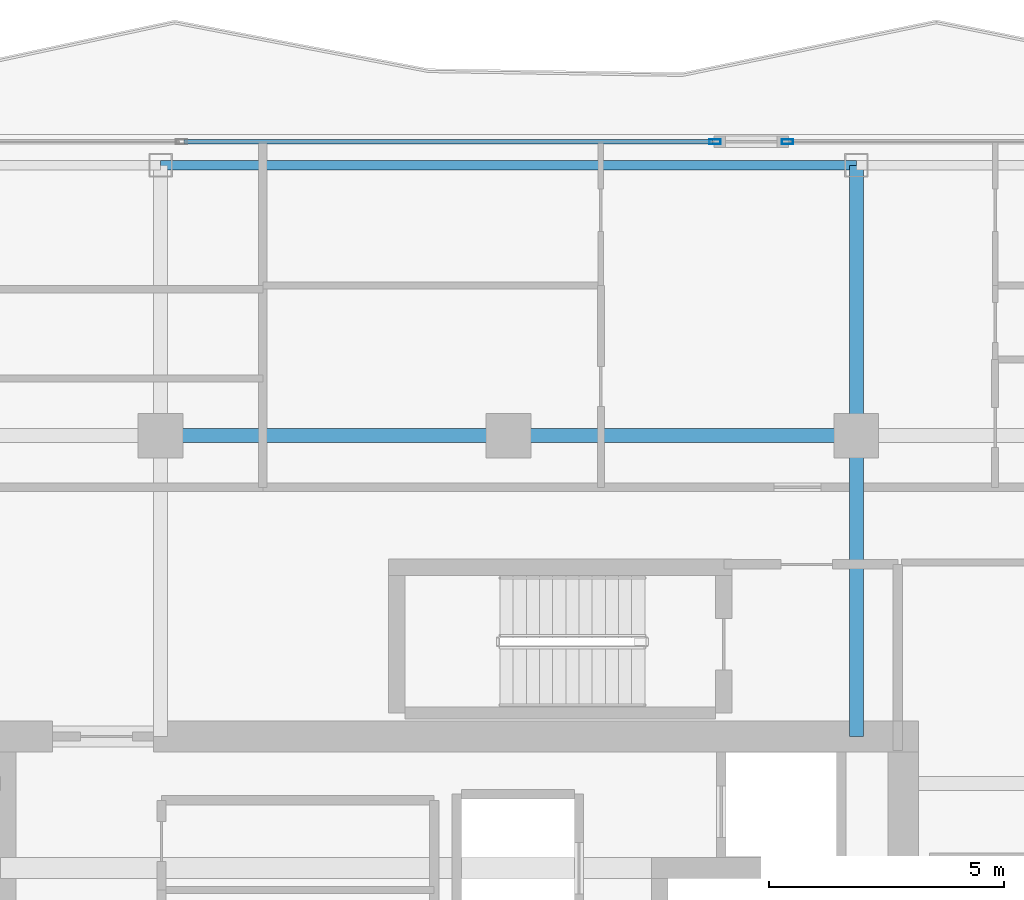
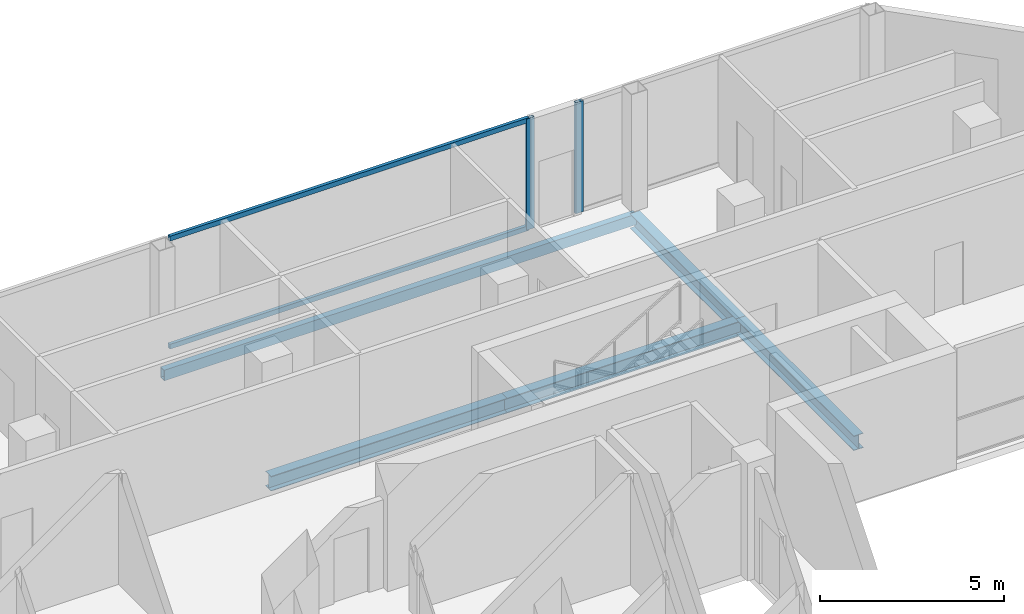
# One storey, part 12 of 22: 5 beams, 4 members, 2 elements without a shape of their own.
"""IFC4 building model written with IfcOpenShell, lengths in metres."""

from ifc_helpers import new_model, si_unit, direction, frame, origin, origin_2d, place, context, subcontext, project, spatial, hollow_rectangle, i_section, extrude, material, layer, layer_set, material_profile, profile_set, type_object, element, aggregate, save


model = new_model("IFC4")

# Units and contexts
model_context = context("Model", 3, precision=1e-05, world=origin(), true_north=direction((0.0, 1.0)))
body_context = subcontext(model_context, "Body", "Model", "MODEL_VIEW")
ifc_project = project(units=[si_unit("LENGTHUNIT", "METRE"), si_unit("AREAUNIT", "SQUARE_METRE"), si_unit("VOLUMEUNIT", "CUBIC_METRE"), si_unit("PLANEANGLEUNIT", "RADIAN"), si_unit("MASSUNIT", "GRAM", prefix="KILO")], contexts=[model_context])

# Site, building, storey
site_placement = place(None, origin())
site = spatial("IfcSite", under=ifc_project, at=site_placement, CompositionType="ELEMENT")
building_placement = place(site_placement, origin())
building = spatial("IfcBuilding", under=site, at=building_placement, Name="Khorvyn Point Tower", CompositionType="ELEMENT")
storey_placement = place(building_placement, frame((0.0, 0.0, 305.39990234375)))
storey = spatial("IfcBuildingStorey", under=building, at=storey_placement, Name="L75", CompositionType="ELEMENT", Elevation=305.39990234375)

# Curtain wall, member
ifc_material_1 = material(Name="Anodised aluminium 6063-T6 and laminated Low-E glass", Category="aluminium")
ifc_layer = layer(ifc_material_1, 0.18994140625)
ifc_layer_set = layer_set([ifc_layer], Name="Stick-Built High-Wind Curtain Wall CW-SYS-04")
curtain_wall_type = type_object("IfcCurtainWallType", Name="Stick-Built High-Wind Curtain Wall CW-SYS-04", PredefinedType="NOTDEFINED", material=ifc_layer_set)
curtain_wall_1_placement = place(storey_placement, origin())
curtain_wall_1 = element("IfcCurtainWall", 1, at=curtain_wall_1_placement, inside=storey, type_object=curtain_wall_type, Name="Curtain Wall", PredefinedType="NOTDEFINED")
ifc_material_2 = material(Name="Anodised aluminium 6063-T6", Category="aluminium")
ifc_material_profile_1 = material_profile(ifc_material_2, hollow_rectangle(XDim=0.10009765625, YDim=0.239990234375, WallThickness=0.0048828125, at=origin_2d()))
ifc_profile_set_1 = profile_set([ifc_material_profile_1], Name="Anodised aluminium 6063-T6 ALU-MUL-100x240")
member_type_1 = type_object("IfcMemberType", Name="Anodised Aluminium 6063-T6 Mullion ALU-MUL-100x240", PredefinedType="MULLION", material=ifc_profile_set_1)
member_1_placement = place(storey_placement, frame((4.39404296875, 21.050048828125, 0.0), z_axis=(0.0, 0.0, 1.0), x_axis=(0.0, 1.0, 0.0)))
member_1 = element("IfcMember", 2, at=member_1_placement, type_object=member_type_1, Name="Transom", PredefinedType="MULLION", context=body_context, shape_type="SweptSolid", body=[
    extrude(hollow_rectangle(XDim=0.10009765625, YDim=0.239990234375, WallThickness=0.0048828125, at=origin_2d()), origin(), (0.0, 0.0, 1.0), 3.68017578125),
])

curtain_wall_2_placement = place(storey_placement, origin())
curtain_wall_2 = element("IfcCurtainWall", 3, at=curtain_wall_2_placement, inside=storey, type_object=curtain_wall_type, Name="Curtain Wall", PredefinedType="NOTDEFINED")
member_2_placement = place(storey_placement, frame((5.93408203125, 21.050048828125, 0.0), z_axis=(0.0, 0.0, 1.0), x_axis=(0.0, 1.0, 0.0)))
member_2 = element("IfcMember", 4, at=member_2_placement, type_object=member_type_1, Name="Transom", PredefinedType="MULLION", context=body_context, shape_type="SweptSolid", body=[
    extrude(hollow_rectangle(XDim=0.10009765625, YDim=0.239990234375, WallThickness=0.0048828125, at=origin_2d()), origin(), (0.0, 0.0, 1.0), 3.68017578125),
])
aggregate(curtain_wall_2, [member_2])

# Member
ifc_material_profile_2 = material_profile(ifc_material_2, hollow_rectangle(XDim=0.10009765625, YDim=0.159912109375, WallThickness=0.00439453125, at=origin_2d()))
ifc_profile_set_2 = profile_set([ifc_material_profile_2], Name="Anodised aluminium 6063-T6 ALU-TRN-100x160")
member_type_2 = type_object("IfcMemberType", Name="Anodised Aluminium 6063-T6 Transom ALU-TRN-100x160", PredefinedType="USERDEFINED", material=ifc_profile_set_2)
member_3_placement = place(storey_placement, frame((-6.903076171875, 21.050048828125, 0.050048828125), z_axis=(1.0, 0.0, 0.0), x_axis=(0.0, 1.0, 0.0)))
member_3 = element("IfcMember", 5, at=member_3_placement, type_object=member_type_2, Name="Transom", ObjectType="TRANSOM", PredefinedType="USERDEFINED", context=body_context, shape_type="SweptSolid", body=[
    extrude(hollow_rectangle(XDim=0.10009765625, YDim=0.159912109375, WallThickness=0.00439453125, at=origin_2d()), origin(), (0.0, 0.0, 1.0), 11.2470703125),
])

member_4_placement = place(storey_placement, frame((-6.903076171875, 21.050048828125, 3.630126953125), z_axis=(1.0, 0.0, 0.0), x_axis=(0.0, 1.0, 0.0)))
member_4 = element("IfcMember", 6, at=member_4_placement, type_object=member_type_2, Name="Transom", ObjectType="TRANSOM", PredefinedType="USERDEFINED", context=body_context, shape_type="SweptSolid", body=[
    extrude(hollow_rectangle(XDim=0.10009765625, YDim=0.159912109375, WallThickness=0.00439453125, at=origin_2d()), origin(), (0.0, 0.0, 1.0), 11.2470703125),
])

aggregate(curtain_wall_1, [member_1, member_3, member_4])

# Beams
ifc_material_3 = material(Name="Steel S355", Category="steel")
ifc_material_profile_3 = material_profile(ifc_material_3, i_section(OverallWidth=0.300048828125, OverallDepth=0.488037109375, WebThickness=0.010986328125, FlangeThickness=0.01806640625, at=origin_2d()))
ifc_profile_set_3 = profile_set([ifc_material_profile_3], Name="Steel S355 H488x300x11x18")
beam_type_1 = type_object("IfcBeamType", Name="Steel S355 Spandrel H488x300x11x18", PredefinedType="SPANDREL", material=ifc_profile_set_3)
for number, where, z_axis, x_axis, name in (
    (7, (-7.39990234375, 14.800048828125, -0.4638671875), (1.0, 0.0, 0.0), (0.0, 1.0, 0.0), "Beam"),
    (8, (0.0, 14.800048828125, -0.4638671875), (1.0, 0.0, 0.0), (0.0, 1.0, 0.0), "Beam"),
):
    element("IfcBeam", number, at=place(storey_placement, frame(where, z_axis=z_axis, x_axis=x_axis)), inside=storey, type_object=beam_type_1, Name=name, PredefinedType="SPANDREL", context=body_context, shape_type="SweptSolid", body=[
        extrude(i_section(OverallWidth=0.300048828125, OverallDepth=0.488037109375, WebThickness=0.010986328125, FlangeThickness=0.01806640625, at=origin_2d()), origin(), (0.0, 0.0, 1.0), 7.39990234375),
    ])
beam_1_placement = place(storey_placement, frame((7.39990234375, 8.39990234375, -0.4638671875), z_axis=(0.0, 1.0, 0.0), x_axis=(-1.0, 0.0, 0.0)))
element("IfcBeam", 9, at=beam_1_placement, inside=storey, type_object=beam_type_1, Name="Beam", PredefinedType="SPANDREL", context=body_context, shape_type="SweptSolid", body=[
    extrude(i_section(OverallWidth=0.300048828125, OverallDepth=0.488037109375, WebThickness=0.010986328125, FlangeThickness=0.01806640625, at=origin_2d()), origin(), (0.0, 0.0, 1.0), 6.400146484375),
])
beam_2_placement = place(storey_placement, frame((7.39990234375, 14.800048828125, -0.4638671875), z_axis=(0.0, 1.0, 0.0), x_axis=(-1.0, 0.0, 0.0)))
element("IfcBeam", 10, at=beam_2_placement, inside=storey, type_object=beam_type_1, Name="Beam", PredefinedType="SPANDREL", context=body_context, shape_type="SweptSolid", body=[
    extrude(i_section(OverallWidth=0.300048828125, OverallDepth=0.488037109375, WebThickness=0.010986328125, FlangeThickness=0.01806640625, at=origin_2d()), origin(), (0.0, 0.0, 1.0), 5.75),
])
ifc_material_profile_4 = material_profile(ifc_material_3, hollow_rectangle(XDim=0.199951171875, YDim=0.35009765625, WallThickness=0.013916015625, at=origin_2d()))
ifc_profile_set_4 = profile_set([ifc_material_profile_4], Name="Steel S355 RHS350x200x14")
beam_type_2 = type_object("IfcBeamType", Name="Steel S355 Spandrel RHS350x200x14", PredefinedType="SPANDREL", material=ifc_profile_set_4)
beam_3_placement = place(storey_placement, frame((-7.39990234375, 20.550048828125, -0.39501953125), z_axis=(1.0, 0.0, 0.0), x_axis=(0.0, 1.0, 0.0)))
element("IfcBeam", 11, at=beam_3_placement, inside=storey, type_object=beam_type_2, Name="Beam", PredefinedType="SPANDREL", context=body_context, shape_type="SweptSolid", body=[
    extrude(hollow_rectangle(XDim=0.199951171875, YDim=0.35009765625, WallThickness=0.013916015625, at=origin_2d()), origin(), (0.0, 0.0, 1.0), 14.7998046875),
])

save(model, "model.ifc")
